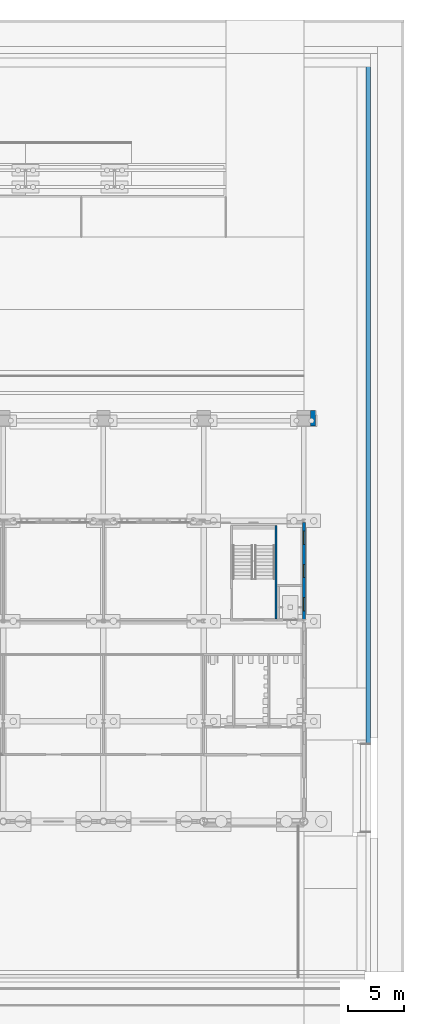
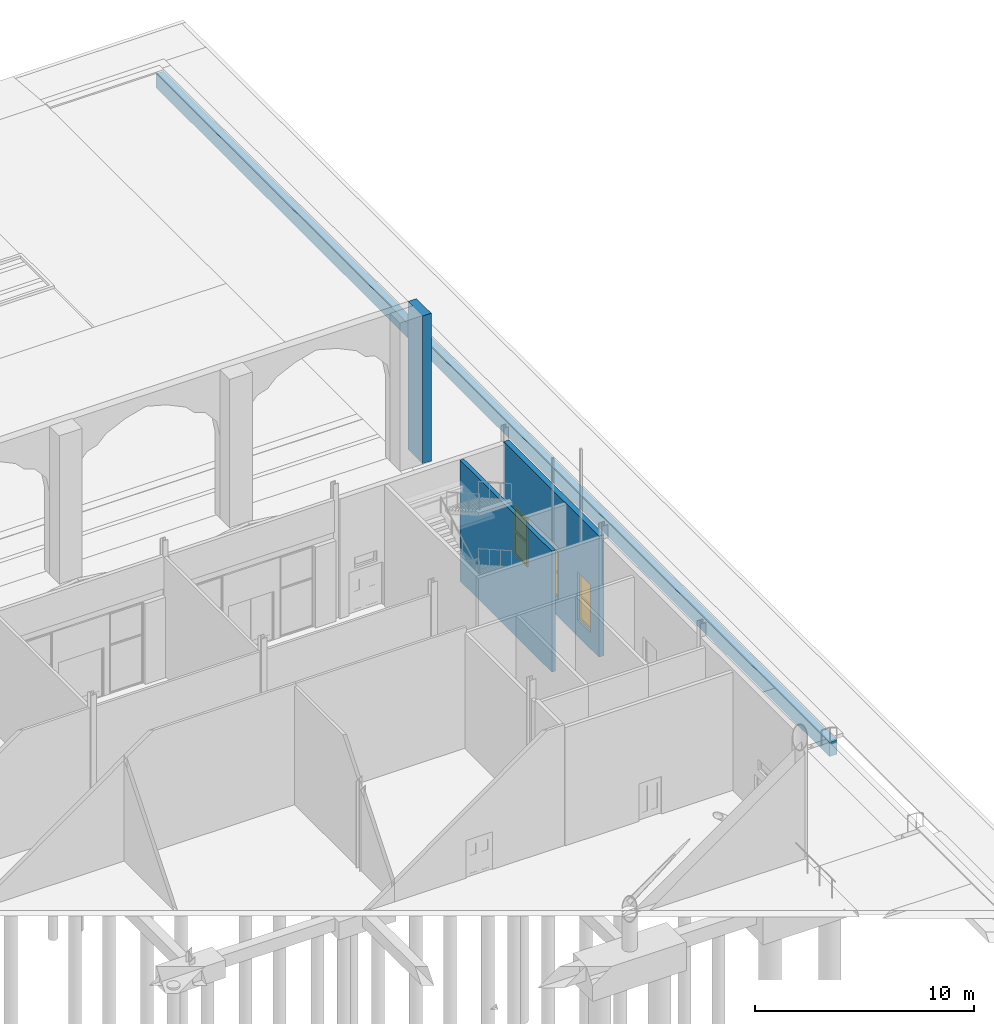
# One storey, part 133 of 250: 4 walls, 3 windows, 3 openings.
"""IFC4 building model written with IfcOpenShell, lengths in metres."""

from ifc_helpers import new_model, si_unit, direction, frame, frame_2d, origin, place, context, subcontext, project, spatial, polyline, rectangle, outline, extrude, material, layer, layer_set, type_object, element, fill, save


model = new_model("IFC4")

# Units and contexts
model_context = context("Model", 3, precision=1e-05, world=origin(), true_north=direction((0.0, 1.0)))
body_context = subcontext(model_context, "Body", "Model", "MODEL_VIEW")
ifc_project = project(units=[si_unit("LENGTHUNIT", "METRE"), si_unit("AREAUNIT", "SQUARE_METRE"), si_unit("VOLUMEUNIT", "CUBIC_METRE"), si_unit("PLANEANGLEUNIT", "RADIAN"), si_unit("MASSUNIT", "GRAM", prefix="KILO")], contexts=[model_context])

# Site, building, storey
site_placement = place(None, origin())
site = spatial("IfcSite", under=ifc_project, at=site_placement, CompositionType="ELEMENT")
building_placement = place(site_placement, origin())
building = spatial("IfcBuilding", under=site, at=building_placement, Name="Baradari Gate Terminus", CompositionType="ELEMENT")
storey_placement = place(building_placement, origin())
storey = spatial("IfcBuildingStorey", under=building, at=storey_placement, Name="L00", CompositionType="ELEMENT", Elevation=0.0)

# Wall, openings, windows
ifc_material_1 = material(Name="Concrete C40/50 precast", Category="concrete")
ifc_layer_1 = layer(ifc_material_1, 0.23)
ifc_material_2 = material(Name="Reconstituted stone", Category="masonry")
ifc_layer_2 = layer(ifc_material_2, 0.05)
ifc_layer_set_1 = layer_set([ifc_layer_1, ifc_layer_2], Name="Concrete C40/50 precast")
wall_type_1 = type_object("IfcWallType", Name="End wall WE-1 280", PredefinedType="SOLIDWALL", material=ifc_layer_set_1)
wall_1_placement = place(storey_placement, frame((243.0, 99.1572265625, 0.0), z_axis=(0.0, 0.0, 1.0), x_axis=(0.0, 1.0, 0.0)))
wall_1 = element("IfcWall", 1, at=wall_1_placement, inside=storey, type_object=wall_type_1, Name="east end wall HE bay 12 L00", PredefinedType="SOLIDWALL", context=body_context, shape_type="SweptSolid", body=[
    extrude(rectangle(XDim=8.712646484375, YDim=0.280029296875, at=frame_2d((4.3564453125, 0.0))), origin(), (0.0, 0.0, 1.0), 6.767333984375),
])
opening_1_placement = place(wall_1_placement, frame((0.74267578125, 0.0, 0.89990234375)))
opening_1 = element("IfcOpeningElement", 2, at=opening_1_placement, cuts=wall_1, Name="Opening W7", PredefinedType="OPENING", context=body_context, shape_type="SweptSolid", body=[
    extrude(rectangle(XDim=1.199951171875, YDim=2.699951171875, at=frame_2d((0.60009765625, 1.35009765625))), frame((0.0, 0.14990234375, 0.0), z_axis=(0.0, -1.0, 0.0), x_axis=(1.0, 0.0, 0.0)), (0.0, 0.0, 1.0), 0.300048828125),
])
opening_2_placement = place(wall_1_placement, frame((3.74267578125, 0.0, 0.89990234375)))
opening_2 = element("IfcOpeningElement", 3, at=opening_2_placement, cuts=wall_1, Name="Opening W7", PredefinedType="OPENING", context=body_context, shape_type="SweptSolid", body=[
    extrude(rectangle(XDim=1.199951171875, YDim=2.699951171875, at=frame_2d((0.60009765625, 1.35009765625))), frame((0.0, 0.14990234375, 0.0), z_axis=(0.0, -1.0, 0.0), x_axis=(1.0, 0.0, 0.0)), (0.0, 0.0, 1.0), 0.300048828125),
])
opening_3_placement = place(wall_1_placement, frame((6.74267578125, 0.0, 0.89990234375)))
opening_3 = element("IfcOpeningElement", 4, at=opening_3_placement, cuts=wall_1, Name="Opening W7", PredefinedType="OPENING", context=body_context, shape_type="SweptSolid", body=[
    extrude(rectangle(XDim=1.199951171875, YDim=2.699951171875, at=frame_2d((0.60009765625, 1.35009765625))), frame((0.0, 0.14990234375, 0.0), z_axis=(0.0, -1.0, 0.0), x_axis=(1.0, 0.0, 0.0)), (0.0, 0.0, 1.0), 0.300048828125),
])
ifc_material_3 = material(Name="Aluminium 6063-T6", Category="aluminium")
window_type = type_object("IfcWindowType", Name="Service block window W7 1200x2700", PartitioningType="DOUBLE_PANEL_HORIZONTAL", PredefinedType="WINDOW", material=ifc_material_3)
window_1_placement = place(opening_1_placement, origin())
window_1 = element("IfcWindow", 5, at=window_1_placement, inside=storey, type_object=window_type, Name="Window W7 HE/11", OverallHeight=2.7, OverallWidth=1.2, PartitioningType="DOUBLE_PANEL_HORIZONTAL", PredefinedType="WINDOW", context=body_context, shape_type="SweptSolid", body=[
    extrude(outline(polyline([(0.0, 0.0), (1.199951171875, 0.0), (1.199951171875, 2.699951171875), (0.0, 2.699951171875), (0.0, 0.0)]), holes=[polyline([(0.070068359375, 0.070068359375), (1.1298828125, 0.070068359375), (1.1298828125, 2.6298828125), (0.070068359375, 2.6298828125), (0.070068359375, 0.070068359375)])]), frame((0.0, 0.030029296875, 0.0), z_axis=(0.0, -1.0, 0.0), x_axis=(1.0, 0.0, 0.0)), (0.0, 0.0, 1.0), 0.06005859375),
    extrude(rectangle(XDim=1.059814453125, YDim=0.0400390625, at=frame_2d((0.60009765625, 1.35009765625))), frame((0.0, 0.021484375, 0.0), z_axis=(0.0, -1.0, 0.0), x_axis=(1.0, 0.0, 0.0)), (0.0, 0.0, 1.0), 0.04296875),
    extrude(outline(polyline([(0.070068359375, 0.070068359375), (1.1298828125, 0.070068359375), (1.1298828125, 1.330078125), (0.070068359375, 1.330078125), (0.070068359375, 0.070068359375)]), holes=[polyline([(0.10009765625, 0.10009765625), (1.099853515625, 0.10009765625), (1.099853515625, 1.300048828125), (0.10009765625, 1.300048828125), (0.10009765625, 0.10009765625)])]), frame((0.0, 0.0224609375, 0.0), z_axis=(0.0, -1.0, 0.0), x_axis=(1.0, 0.0, 0.0)), (0.0, 0.0, 1.0), 0.044921875),
    extrude(rectangle(XDim=0.999755859375, YDim=1.199951171875, at=frame_2d((0.60009765625, 0.7001953125))), frame((0.0, 0.006103515625, 0.0), z_axis=(0.0, -1.0, 0.0), x_axis=(1.0, 0.0, 0.0)), (0.0, 0.0, 1.0), 0.01220703125),
    extrude(outline(polyline([(0.070068359375, 1.3701171875), (1.1298828125, 1.3701171875), (1.1298828125, 2.6298828125), (0.070068359375, 2.6298828125), (0.070068359375, 1.3701171875)]), holes=[polyline([(0.10009765625, 1.39990234375), (1.099853515625, 1.39990234375), (1.099853515625, 2.599853515625), (0.10009765625, 2.599853515625), (0.10009765625, 1.39990234375)])]), frame((0.0, 0.0224609375, 0.0), z_axis=(0.0, -1.0, 0.0), x_axis=(1.0, 0.0, 0.0)), (0.0, 0.0, 1.0), 0.044921875),
    extrude(rectangle(XDim=0.999755859375, YDim=1.199951171875, at=frame_2d((0.60009765625, 2.0))), frame((0.0, 0.006103515625, 0.0), z_axis=(0.0, -1.0, 0.0), x_axis=(1.0, 0.0, 0.0)), (0.0, 0.0, 1.0), 0.01220703125),
])
fill(opening_1, window_1)
window_2_placement = place(opening_2_placement, origin())
window_2 = element("IfcWindow", 6, at=window_2_placement, inside=storey, type_object=window_type, Name="Window W7 HE/11", OverallHeight=2.7, OverallWidth=1.2, PartitioningType="DOUBLE_PANEL_HORIZONTAL", PredefinedType="WINDOW", context=body_context, shape_type="SweptSolid", body=[
    extrude(outline(polyline([(0.0, 0.0), (1.199951171875, 0.0), (1.199951171875, 2.699951171875), (0.0, 2.699951171875), (0.0, 0.0)]), holes=[polyline([(0.070068359375, 0.070068359375), (1.1298828125, 0.070068359375), (1.1298828125, 2.6298828125), (0.070068359375, 2.6298828125), (0.070068359375, 0.070068359375)])]), frame((0.0, 0.030029296875, 0.0), z_axis=(0.0, -1.0, 0.0), x_axis=(1.0, 0.0, 0.0)), (0.0, 0.0, 1.0), 0.06005859375),
    extrude(rectangle(XDim=1.059814453125, YDim=0.0400390625, at=frame_2d((0.60009765625, 1.35009765625))), frame((0.0, 0.021484375, 0.0), z_axis=(0.0, -1.0, 0.0), x_axis=(1.0, 0.0, 0.0)), (0.0, 0.0, 1.0), 0.04296875),
    extrude(outline(polyline([(0.070068359375, 0.070068359375), (1.1298828125, 0.070068359375), (1.1298828125, 1.330078125), (0.070068359375, 1.330078125), (0.070068359375, 0.070068359375)]), holes=[polyline([(0.10009765625, 0.10009765625), (1.099853515625, 0.10009765625), (1.099853515625, 1.300048828125), (0.10009765625, 1.300048828125), (0.10009765625, 0.10009765625)])]), frame((0.0, 0.0224609375, 0.0), z_axis=(0.0, -1.0, 0.0), x_axis=(1.0, 0.0, 0.0)), (0.0, 0.0, 1.0), 0.044921875),
    extrude(rectangle(XDim=0.999755859375, YDim=1.199951171875, at=frame_2d((0.60009765625, 0.7001953125))), frame((0.0, 0.006103515625, 0.0), z_axis=(0.0, -1.0, 0.0), x_axis=(1.0, 0.0, 0.0)), (0.0, 0.0, 1.0), 0.01220703125),
    extrude(outline(polyline([(0.070068359375, 1.3701171875), (1.1298828125, 1.3701171875), (1.1298828125, 2.6298828125), (0.070068359375, 2.6298828125), (0.070068359375, 1.3701171875)]), holes=[polyline([(0.10009765625, 1.39990234375), (1.099853515625, 1.39990234375), (1.099853515625, 2.599853515625), (0.10009765625, 2.599853515625), (0.10009765625, 1.39990234375)])]), frame((0.0, 0.0224609375, 0.0), z_axis=(0.0, -1.0, 0.0), x_axis=(1.0, 0.0, 0.0)), (0.0, 0.0, 1.0), 0.044921875),
    extrude(rectangle(XDim=0.999755859375, YDim=1.199951171875, at=frame_2d((0.60009765625, 2.0))), frame((0.0, 0.006103515625, 0.0), z_axis=(0.0, -1.0, 0.0), x_axis=(1.0, 0.0, 0.0)), (0.0, 0.0, 1.0), 0.01220703125),
])
fill(opening_2, window_2)
window_3_placement = place(opening_3_placement, origin())
window_3 = element("IfcWindow", 7, at=window_3_placement, inside=storey, type_object=window_type, Name="Window W7 HE/11", OverallHeight=2.7, OverallWidth=1.2, PartitioningType="DOUBLE_PANEL_HORIZONTAL", PredefinedType="WINDOW", context=body_context, shape_type="SweptSolid", body=[
    extrude(outline(polyline([(0.0, 0.0), (1.199951171875, 0.0), (1.199951171875, 2.699951171875), (0.0, 2.699951171875), (0.0, 0.0)]), holes=[polyline([(0.070068359375, 0.070068359375), (1.1298828125, 0.070068359375), (1.1298828125, 2.6298828125), (0.070068359375, 2.6298828125), (0.070068359375, 0.070068359375)])]), frame((0.0, 0.030029296875, 0.0), z_axis=(0.0, -1.0, 0.0), x_axis=(1.0, 0.0, 0.0)), (0.0, 0.0, 1.0), 0.06005859375),
    extrude(rectangle(XDim=1.059814453125, YDim=0.0400390625, at=frame_2d((0.60009765625, 1.35009765625))), frame((0.0, 0.021484375, 0.0), z_axis=(0.0, -1.0, 0.0), x_axis=(1.0, 0.0, 0.0)), (0.0, 0.0, 1.0), 0.04296875),
    extrude(outline(polyline([(0.070068359375, 0.070068359375), (1.1298828125, 0.070068359375), (1.1298828125, 1.330078125), (0.070068359375, 1.330078125), (0.070068359375, 0.070068359375)]), holes=[polyline([(0.10009765625, 0.10009765625), (1.099853515625, 0.10009765625), (1.099853515625, 1.300048828125), (0.10009765625, 1.300048828125), (0.10009765625, 0.10009765625)])]), frame((0.0, 0.0224609375, 0.0), z_axis=(0.0, -1.0, 0.0), x_axis=(1.0, 0.0, 0.0)), (0.0, 0.0, 1.0), 0.044921875),
    extrude(rectangle(XDim=0.999755859375, YDim=1.199951171875, at=frame_2d((0.60009765625, 0.7001953125))), frame((0.0, 0.006103515625, 0.0), z_axis=(0.0, -1.0, 0.0), x_axis=(1.0, 0.0, 0.0)), (0.0, 0.0, 1.0), 0.01220703125),
    extrude(outline(polyline([(0.070068359375, 1.3701171875), (1.1298828125, 1.3701171875), (1.1298828125, 2.6298828125), (0.070068359375, 2.6298828125), (0.070068359375, 1.3701171875)]), holes=[polyline([(0.10009765625, 1.39990234375), (1.099853515625, 1.39990234375), (1.099853515625, 2.599853515625), (0.10009765625, 2.599853515625), (0.10009765625, 1.39990234375)])]), frame((0.0, 0.0224609375, 0.0), z_axis=(0.0, -1.0, 0.0), x_axis=(1.0, 0.0, 0.0)), (0.0, 0.0, 1.0), 0.044921875),
    extrude(rectangle(XDim=0.999755859375, YDim=1.199951171875, at=frame_2d((0.60009765625, 2.0))), frame((0.0, 0.006103515625, 0.0), z_axis=(0.0, -1.0, 0.0), x_axis=(1.0, 0.0, 0.0)), (0.0, 0.0, 1.0), 0.01220703125),
])
fill(opening_3, window_3)

# Walls
ifc_material_4 = material(Name="Laterite masonry", Category="masonry")
ifc_layer_3 = layer(ifc_material_4, 0.449951171875)
ifc_layer_set_2 = layer_set([ifc_layer_3], Name="Laterite masonry")
wall_type_2 = type_object("IfcWallType", Name="Laterite masonry pier WC-1 450", PredefinedType="SOLIDWALL", material=ifc_layer_set_2)
wall_2_placement = place(storey_placement, frame((243.824951171875, 116.550048828125, 0.0), z_axis=(0.0, 0.0, 1.0), x_axis=(0.0, 1.0, 0.0)))
element("IfcWall", 8, at=wall_2_placement, inside=storey, type_object=wall_type_2, Name="Arcade end return 2", PredefinedType="SOLIDWALL", context=body_context, shape_type="SweptSolid", body=[
    extrude(rectangle(XDim=1.349853515625, YDim=0.449951171875, at=frame_2d((0.6748046875, 0.0))), origin(), (0.0, 0.0, 1.0), 8.25),
])
ifc_material_5 = material(Name="Sandstone masonry", Category="masonry")
ifc_layer_4 = layer(ifc_material_5, 0.39990234375)
ifc_layer_set_3 = layer_set([ifc_layer_4], Name="Sandstone masonry")
wall_type_3 = type_object("IfcWallType", Name="Plinth retaining wall KW-1 400", PredefinedType="SOLIDWALL", material=ifc_layer_set_3)
wall_3_placement = place(storey_placement, frame((248.800048828125, 88.0, -0.800048828125), z_axis=(0.0, 0.0, 1.0), x_axis=(0.0, 1.0, 0.0)))
element("IfcWall", 9, at=wall_3_placement, inside=storey, type_object=wall_type_3, Name="Plinth retaining wall E3", PredefinedType="SOLIDWALL", context=body_context, shape_type="SweptSolid", body=[
    extrude(rectangle(XDim=61.60009765625, YDim=0.39990234375, at=frame_2d((30.800048828125, 0.0))), origin(), (0.0, 0.0, 1.0), 0.800048828125),
])
ifc_material_6 = material(Name="Concrete C40/50", Category="concrete")
ifc_layer_5 = layer(ifc_material_6, 0.199951171875)
ifc_layer_set_4 = layer_set([ifc_layer_5], Name="Concrete C40/50")
wall_type_4 = type_object("IfcWallType", Name="Stair enclosure wall SE-5 200 EI 120", PredefinedType="SOLIDWALL", material=ifc_layer_set_4)
wall_4_placement = place(storey_placement, frame((240.5, 99.199951171875, 0.0), z_axis=(0.0, 0.0, 1.0), x_axis=(0.0, 1.0, 0.0)))
element("IfcWall", 10, at=wall_4_placement, inside=storey, type_object=wall_type_4, Name="Stair enclosure wall SE-5 ST-H4 L00 E", PredefinedType="SOLIDWALL", context=body_context, shape_type="SweptSolid", body=[
    extrude(rectangle(XDim=8.400146484375, YDim=0.199951171875, at=frame_2d((4.2001953125, 0.0))), origin(), (0.0, 0.0, 1.0), 6.757080078125),
])

save(model, "model.ifc")
